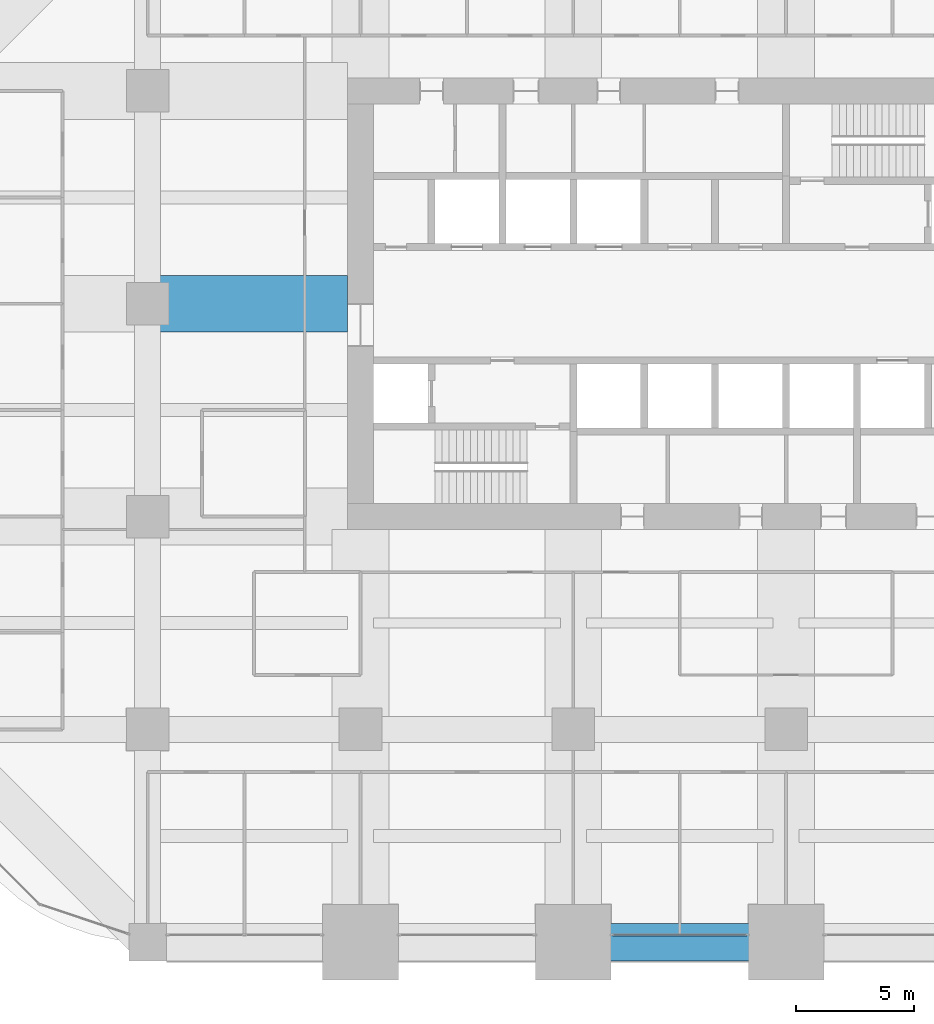
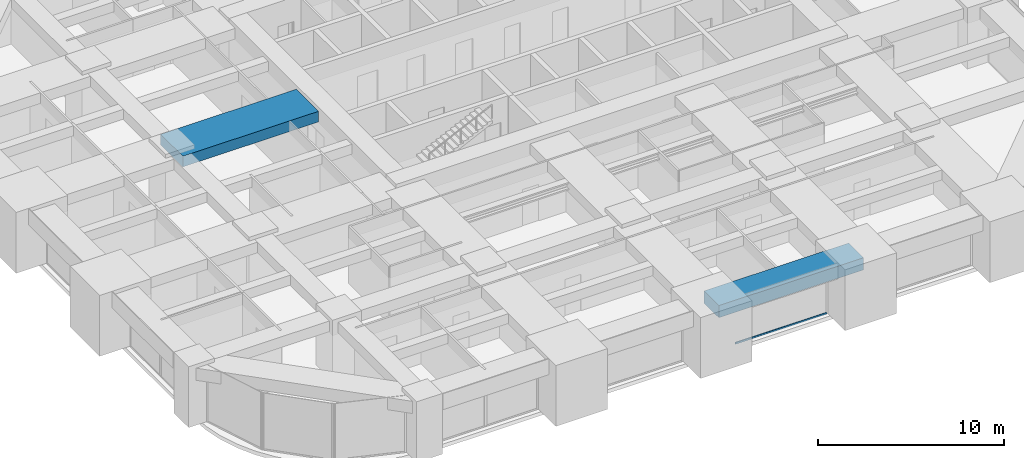
# One storey, part 13 of 36: 2 beams, 1 member, 1 element without a shape of its own.
"""IFC4 building model written with IfcOpenShell, lengths in metres."""

import ifcopenshell
import ifcopenshell.guid

model = None  # the IFC model being written
_history = None  # IfcOwnerHistory: only IFC2X3 demands one
_inside = {}  # id of a spatial element -> (the spatial element, [elements in it])
_under = {}  # id of a project, library or spatial element -> (it, [spatial elements below it])
_declared = {}  # id of a project -> (the project, [libraries it declares])
_typed = {}  # id of a type object -> (the type object, [elements of that type])
_made_of = {}  # id of a material, layer set ... -> (it, [elements and type objects made of it])


def new_model(schema):
    """Start an empty IFC model of exactly this schema.

    Asked for "IFC4X3", IfcOpenShell would pick the latest addendum, in which some entities
    have other attributes; the version numbers below select the first issue.
    IFC2X3 requires an IfcOwnerHistory on every rooted entity: one is made here for all.
    """
    global model, _history
    if schema == "IFC4X3":
        model = ifcopenshell.file(schema_version=(4, 3, 0, 0))
    else:
        model = ifcopenshell.file(schema=schema)
    _inside.clear()
    _under.clear()
    _declared.clear()
    _typed.clear()
    _made_of.clear()
    _history = None
    if model.schema == "IFC2X3":
        org = make("IfcOrganization", Name="unknown")
        user = make(
            "IfcPersonAndOrganization",
            ThePerson=make("IfcPerson", FamilyName="unknown"),
            TheOrganization=org,
        )
        app = make(
            "IfcApplication",
            ApplicationDeveloper=org,
            Version="unknown",
            ApplicationFullName="unknown",
            ApplicationIdentifier="unknown",
        )
        _history = make(
            "IfcOwnerHistory",
            OwningUser=user,
            OwningApplication=app,
            ChangeAction="ADDED",
            CreationDate=0,
        )
    return model


def make(cls, **values):
    """One entity of the class cls with the attributes given. An attribute that is None is left unset."""
    return model.create_entity(
        cls, **{name: value for name, value in values.items() if value is not None}
    )


def rooted(cls, **values):
    """An entity with a GlobalId (a new one), such as an element, a storey or a relation."""
    return make(cls, GlobalId=ifcopenshell.guid.new(), OwnerHistory=_history, **values)


def si_unit(unit_type, name, prefix=None):
    """IfcSIUnit, for example si_unit("LENGTHUNIT", "METRE", prefix="MILLI")."""
    return make("IfcSIUnit", UnitType=unit_type, Prefix=prefix, Name=name)


def assignment(units):
    """IfcUnitAssignment: the units of a project."""
    return None if units is None else make("IfcUnitAssignment", Units=units)


def point(xyz):
    """IfcCartesianPoint."""
    return None if xyz is None else make("IfcCartesianPoint", Coordinates=xyz)


def direction(xyz):
    """IfcDirection."""
    return None if xyz is None else make("IfcDirection", DirectionRatios=xyz)


def frame(location, z_axis=None, x_axis=None):
    """IfcAxis2Placement3D, a coordinate frame: its origin and axes. An axis left out is left unset."""
    return make(
        "IfcAxis2Placement3D",
        Location=point(location),
        Axis=direction(z_axis),
        RefDirection=direction(x_axis),
    )


def frame_2d(location, x_axis=None):
    """IfcAxis2Placement2D, a coordinate frame in the plane: its origin and x axis."""
    return make(
        "IfcAxis2Placement2D", Location=point(location), RefDirection=direction(x_axis)
    )


def origin():
    """The frame at (0, 0, 0) with its axes left unset."""
    return frame((0.0, 0.0, 0.0))


def origin_2d():
    """The frame at (0, 0) in the plane with its x axis left unset."""
    return frame_2d((0.0, 0.0))


def place(relative_to, where):
    """IfcLocalPlacement: puts the frame where relative to a parent placement (None: the world)."""
    return make(
        "IfcLocalPlacement", PlacementRelTo=relative_to, RelativePlacement=where
    )


def context(
    kind, dimensions, precision=None, world=None, true_north=None, identifier=None
):
    """IfcGeometricRepresentationContext, for example the 3D "Model" context."""
    return make(
        "IfcGeometricRepresentationContext",
        ContextIdentifier=identifier,
        ContextType=kind,
        CoordinateSpaceDimension=dimensions,
        Precision=precision,
        WorldCoordinateSystem=world,
        TrueNorth=true_north,
    )


def subcontext(parent, identifier, kind, view, scale=None):
    """IfcGeometricRepresentationSubContext, for example "Body" below "Model"."""
    return make(
        "IfcGeometricRepresentationSubContext",
        ContextIdentifier=identifier,
        ContextType=kind,
        ParentContext=parent,
        TargetScale=scale,
        TargetView=view,
    )


def project(units=None, contexts=None):
    """IfcProject with its units and contexts."""
    return rooted(
        "IfcProject",
        Name="project",
        RepresentationContexts=contexts,
        UnitsInContext=assignment(units),
    )


def spatial(cls, under=None, at=None, **own):
    """A site, building, storey or space (cls), placed at a placement, below another one or the project."""
    s = rooted(cls, ObjectPlacement=at, **own)
    if under is not None:
        _under.setdefault(under.id(), (under, []))[1].append(s)
    return s


def profile(cls, at=None, kind="AREA", **sizes):
    """A parametric profile (cls). Its sizes go by their IFC names, for example OverallWidth=200.0."""
    return make(cls, ProfileType=kind, Position=at, **sizes)


def rectangle(**sizes):
    """IfcRectangleProfileDef."""
    return profile("IfcRectangleProfileDef", **sizes)


def hollow_rectangle(**sizes):
    """IfcRectangleHollowProfileDef."""
    return profile("IfcRectangleHollowProfileDef", **sizes)


def extrude(swept, where, along, depth):
    """IfcExtrudedAreaSolid: the profile swept, set in the frame where, extruded along a direction by depth."""
    return make(
        "IfcExtrudedAreaSolid",
        SweptArea=swept,
        Position=where,
        ExtrudedDirection=direction(along),
        Depth=depth,
    )


def shape(context_of_items, identifier, shape_type, items):
    """IfcShapeRepresentation: the items that make up one representation, for example the "Body"."""
    return make(
        "IfcShapeRepresentation",
        ContextOfItems=context_of_items,
        RepresentationIdentifier=identifier,
        RepresentationType=shape_type,
        Items=items,
    )


def material(Name=None, Category=None):
    """IfcMaterial."""
    return make("IfcMaterial", Name=Name, Category=Category)


def material_profile(
    of_material, cross_section, Name=None, Category=None, Priority=None
):
    """IfcMaterialProfile: a cross section and its material."""
    return make(
        "IfcMaterialProfile",
        Name=Name,
        Material=of_material,
        Profile=cross_section,
        Priority=Priority,
        Category=Category,
    )


def profile_set(profiles, Name=None, composite=None):
    """IfcMaterialProfileSet."""
    return make(
        "IfcMaterialProfileSet",
        Name=Name,
        MaterialProfiles=profiles,
        CompositeProfile=composite,
    )


def made_of(thing, what):
    """Note that an element or type object is made of a material, layer set ...; save() writes the relation."""
    if what is not None:
        _made_of.setdefault(what.id(), (what, []))[1].append(thing)
    return thing


def type_object(cls, material=None, **own):
    """A type object (cls), such as IfcWallType, which elements share."""
    return made_of(rooted(cls, **own), material)


def element(
    cls,
    number,
    at=None,
    inside=None,
    cuts=None,
    type_object=None,
    material=None,
    context=None,
    identifier="Body",
    shape_type=None,
    held_by="IfcProductDefinitionShape",
    body=None,
    shapes=None,
    **own,
):
    """One element of the class cls, such as IfcWall. Its Tag is "e" and its number.

    at: its placement. inside: the storey or other place that contains it. cuts: it is an
    opening in that element (IfcRelVoidsElement). A single representation is given by context,
    identifier, shape_type and body (its items); several are given by shapes. held_by: the class
    of the entity that holds the representations. save() writes the other relations.
    """
    e = rooted(cls, Tag="e%d" % number, ObjectPlacement=at, **own)
    if body is not None:
        shapes = [shape(context, identifier, shape_type, body)]
    if shapes is not None:
        e.Representation = make(held_by, Representations=shapes)
    if inside is not None:
        _inside.setdefault(inside.id(), (inside, []))[1].append(e)
    if cuts is not None:
        rooted(
            "IfcRelVoidsElement", RelatingBuildingElement=cuts, RelatedOpeningElement=e
        )
    if type_object is not None:
        _typed.setdefault(type_object.id(), (type_object, []))[1].append(e)
    return made_of(e, material)


def aggregate(whole, parts):
    """IfcRelAggregates: a whole, such as a stair, and the parts it consists of."""
    return rooted("IfcRelAggregates", RelatingObject=whole, RelatedObjects=parts)


def save(model, path):
    """Write the relations noted so far, then the file.

    IfcRelAggregates (storeys below a building ...), IfcRelContainedInSpatialStructure (elements
    in a storey), IfcRelDefinesByType, IfcRelAssociatesMaterial and IfcRelDeclares: one each for
    every whole, place, type object, material and project.
    """
    for whole, parts in _under.values():
        aggregate(whole, parts)
    for where, things in _inside.values():
        rooted(
            "IfcRelContainedInSpatialStructure",
            RelatedElements=things,
            RelatingStructure=where,
        )
    for kind, things in _typed.values():
        rooted("IfcRelDefinesByType", RelatedObjects=things, RelatingType=kind)
    for what, things in _made_of.values():
        rooted("IfcRelAssociatesMaterial", RelatedObjects=things, RelatingMaterial=what)
    for by, libraries in _declared.values():
        rooted("IfcRelDeclares", RelatingContext=by, RelatedDefinitions=libraries)
    model.write(path)


model = new_model("IFC4")

# Units and contexts
model_context = context("Model", 3, precision=1e-05, world=origin(), true_north=direction((0.0, 1.0)))
body_context = subcontext(model_context, "Body", "Model", "MODEL_VIEW")
ifc_project = project(units=[si_unit("LENGTHUNIT", "METRE"), si_unit("AREAUNIT", "SQUARE_METRE"), si_unit("VOLUMEUNIT", "CUBIC_METRE"), si_unit("PLANEANGLEUNIT", "RADIAN"), si_unit("MASSUNIT", "GRAM", prefix="KILO")], contexts=[model_context])

# Site, building, storey
site_placement = place(None, origin())
site = spatial("IfcSite", under=ifc_project, at=site_placement, CompositionType="ELEMENT")
building_placement = place(site_placement, origin())
building = spatial("IfcBuilding", under=site, at=building_placement, Name="Zorevar Civic Tower", CompositionType="ELEMENT")
storey_placement = place(building_placement, frame((0.0, 0.0, 166.199951171875)))
storey = spatial("IfcBuildingStorey", under=building, at=storey_placement, Name="L40", CompositionType="ELEMENT", Elevation=166.199951171875)

# Beam
ifc_material_1 = material(Name="Concrete C50/60", Category="concrete")
ifc_material_profile_1 = material_profile(ifc_material_1, rectangle(XDim=2.39990234375, YDim=0.699951171875, at=origin_2d()), Name="RC 2400x700")
ifc_profile_set_1 = profile_set([ifc_material_profile_1], Name="Concrete C50/60")
beam_type_1 = type_object("IfcBeamType", Name="Beam RC 2400x700", PredefinedType="BEAM", material=ifc_profile_set_1)
beam_1_placement = place(storey_placement, frame((9.0, 27.0, 3.400146484375), z_axis=(1.0, 0.0, 0.0), x_axis=(0.0, 1.0, 0.0)))
element("IfcBeam", 1, at=beam_1_placement, inside=storey, type_object=beam_type_1, Name="Girder L41", PredefinedType="BEAM", context=body_context, shape_type="SweptSolid", body=[
    extrude(rectangle(XDim=2.39990234375, YDim=0.699951171875, at=origin_2d()), origin(), (0.0, 0.0, 1.0), 8.449951171875),
])

# Curtain wall, member
ifc_material_2 = material(Name="Dark grey solar-control glass in black aluminium frame", Category="aluminium")
curtain_wall_type = type_object("IfcCurtainWallType", Name="Curtain wall CW4 high zone", PredefinedType="NOTDEFINED", material=ifc_material_2)
curtain_wall_placement = place(storey_placement, origin())
curtain_wall = element("IfcCurtainWall", 2, at=curtain_wall_placement, inside=storey, type_object=curtain_wall_type, Name="CW4 L40", PredefinedType="NOTDEFINED")
ifc_material_3 = material(Name="Aluminium, black anodised", Category="aluminium")
ifc_material_profile_2 = material_profile(ifc_material_3, hollow_rectangle(XDim=0.06005859375, YDim=0.1201171875, WallThickness=0.0029296875, at=origin_2d()), Name="AL 120x60x3")
ifc_profile_set_2 = profile_set([ifc_material_profile_2], Name="Aluminium, black anodised")
member_type = type_object("IfcMemberType", Name="CW4 transom AL 120x60x3", PredefinedType="USERDEFINED", material=ifc_profile_set_2)
member_placement = place(storey_placement, frame((28.659912109375, 0.300048828125, 0.030029296875), z_axis=(1.0, 0.0, 0.0), x_axis=(0.0, 1.0, 0.0)))
member = element("IfcMember", 3, at=member_placement, type_object=member_type, Name="CW4 sill transom", ObjectType="TRANSOM", PredefinedType="USERDEFINED", context=body_context, shape_type="SweptSolid", body=[
    extrude(hollow_rectangle(XDim=0.06005859375, YDim=0.1201171875, WallThickness=0.0029296875, at=origin_2d()), origin(), (0.0, 0.0, 1.0), 5.68017578125),
])
aggregate(curtain_wall, [member])

# Beam
ifc_material_4 = material(Name="Concrete C50/60", Category="concrete")
ifc_material_profile_3 = material_profile(ifc_material_4, rectangle(XDim=1.60009765625, YDim=0.800048828125, at=origin_2d()), Name="RC 1600x800")
ifc_profile_set_3 = profile_set([ifc_material_profile_3], Name="Concrete C50/60")
beam_type_2 = type_object("IfcBeamType", Name="Edge beam RC 1600x800", PredefinedType="SPANDREL", material=ifc_profile_set_3)
beam_2_placement = place(storey_placement, frame((27.0, 0.0, 3.35009765625), z_axis=(1.0, 0.0, 0.0), x_axis=(0.0, 1.0, 0.0)))
element("IfcBeam", 4, at=beam_2_placement, inside=storey, type_object=beam_type_2, Name="Edge beam L41", PredefinedType="SPANDREL", context=body_context, shape_type="SweptSolid", body=[
    extrude(rectangle(XDim=1.60009765625, YDim=0.800048828125, at=origin_2d()), origin(), (0.0, 0.0, 1.0), 9.0),
])

save(model, "model.ifc")
